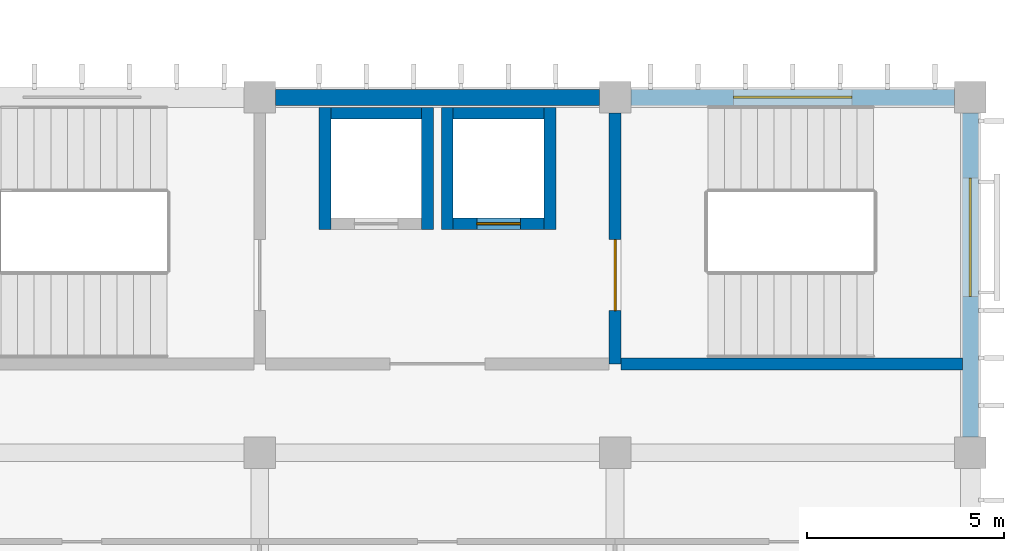
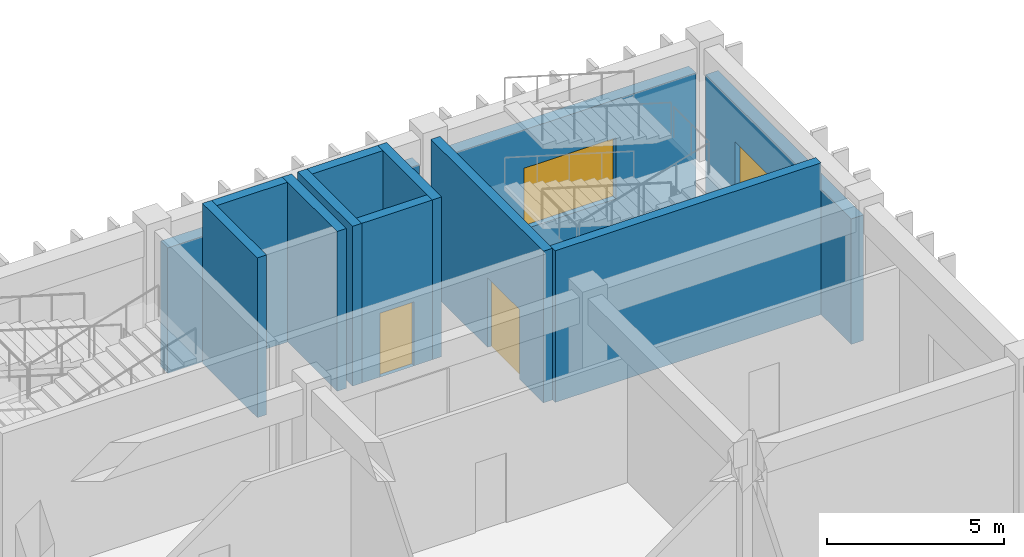
# One storey, part 281 of 437: 12 walls, 2 doors, 2 windows, 4 openings.
"""IFC4 building model written with IfcOpenShell, lengths in metres."""

from ifc_helpers import new_model, si_unit, direction, frame, frame_2d, origin, place, context, subcontext, project, spatial, rectangle, extrude, material, layer, layer_set, type_object, element, fill, save


model = new_model("IFC4")

# Units and contexts
model_context = context("Model", 3, precision=1e-05, world=origin(), true_north=direction((0.0, 1.0)))
body_context = subcontext(model_context, "Body", "Model", "MODEL_VIEW")
ifc_project = project(units=[si_unit("LENGTHUNIT", "METRE"), si_unit("AREAUNIT", "SQUARE_METRE"), si_unit("VOLUMEUNIT", "CUBIC_METRE"), si_unit("PLANEANGLEUNIT", "RADIAN"), si_unit("MASSUNIT", "GRAM", prefix="KILO")], contexts=[model_context])

# Site, building, storey
site_placement = place(None, origin())
site = spatial("IfcSite", under=ifc_project, at=site_placement, CompositionType="ELEMENT")
building_placement = place(site_placement, origin())
building = spatial("IfcBuilding", under=site, at=building_placement, Name="Opaline Strait Convention Centre", CompositionType="ELEMENT")
storey_placement = place(building_placement, frame((0.0, 0.0, 11.5)))
storey = spatial("IfcBuildingStorey", under=building, at=storey_placement, Name="L02", CompositionType="ELEMENT", Elevation=11.5)

# Wall
ifc_material_1 = material(Name="Concrete C40 precast", Category="concrete")
ifc_layer_1 = layer(ifc_material_1, 0.10009765625)
ifc_material_2 = material(Name="Mineral wool insulation")
ifc_layer_2 = layer(ifc_material_2, 0.14990234375)
ifc_layer_3 = layer(ifc_material_1, 0.14990234375)
ifc_layer_set_1 = layer_set([ifc_layer_1, ifc_layer_2, ifc_layer_3], Name="Concrete C40 precast, Mineral wool insulation, Concrete C40 precast")
wall_type_1 = type_object("IfcWallType", Name="External wall 400 insulated precast EI60", PredefinedType="STANDARD", material=ifc_layer_set_1)
wall_1_placement = place(storey_placement, frame((342.39990234375, 180.0, 0.0), z_axis=(0.0, 0.0, 1.0), x_axis=(1.0, 0.0, 0.0)))
element("IfcWall", 1, at=wall_1_placement, inside=storey, type_object=wall_type_1, Name="External wall N L02 39/W", PredefinedType="STANDARD", context=body_context, shape_type="SweptSolid", body=[
    extrude(rectangle(XDim=8.2001953125, YDim=0.39990234375, at=frame_2d((4.10009765625, 0.0))), origin(), (0.0, 0.0, 1.0), 4.320068359375),
])

# Wall, opening, window
wall_2_placement = place(storey_placement, frame((351.39990234375, 180.0, 0.0), z_axis=(0.0, 0.0, 1.0), x_axis=(1.0, 0.0, 0.0)))
wall_2 = element("IfcWall", 2, at=wall_2_placement, inside=storey, type_object=wall_type_1, Name="External wall N L02 40/W", PredefinedType="STANDARD", context=body_context, shape_type="SweptSolid", body=[
    extrude(rectangle(XDim=8.2001953125, YDim=0.39990234375, at=frame_2d((4.10009765625, 0.0))), origin(), (0.0, 0.0, 1.0), 4.320068359375),
])
opening_1_placement = place(wall_2_placement, frame((2.60009765625, 0.0, 0.89990234375)))
opening_1 = element("IfcOpeningElement", 3, at=opening_1_placement, cuts=wall_2, Name="Opening MW2", PredefinedType="OPENING", context=body_context, shape_type="SweptSolid", body=[
    extrude(rectangle(XDim=3.0, YDim=2.10009765625, at=frame_2d((1.5, 1.050048828125))), frame((0.0, 0.2099609375, 0.0), z_axis=(0.0, -1.0, 0.0), x_axis=(1.0, 0.0, 0.0)), (0.0, 0.0, 1.0), 0.419921875),
])
ifc_material_3 = material(Name="Aluminium framed double glazing", Category="aluminium")
window_type = type_object("IfcWindowType", Name="Window 3000 x 2100", PartitioningType="TRIPLE_PANEL_VERTICAL", PredefinedType="WINDOW", material=ifc_material_3)
window_1_placement = place(opening_1_placement, origin())
window_1 = element("IfcWindow", 4, at=window_1_placement, inside=storey, type_object=window_type, Name="Window Escape Stair S7 N", OverallHeight=2.10009765625, OverallWidth=3.0, PartitioningType="TRIPLE_PANEL_VERTICAL", PredefinedType="WINDOW", context=body_context, shape_type="SweptSolid", body=[
    extrude(rectangle(XDim=3.0, YDim=2.10009765625, at=frame_2d((1.5, 1.050048828125))), frame((0.0, 0.030029296875, 0.0), z_axis=(0.0, -1.0, 0.0), x_axis=(1.0, 0.0, 0.0)), (0.0, 0.0, 1.0), 0.06005859375),
])
fill(opening_1, window_1)

wall_3_placement = place(storey_placement, frame((360.0, 171.39990234375, 0.0), z_axis=(0.0, 0.0, 1.0), x_axis=(0.0, 1.0, 0.0)))
wall_3 = element("IfcWall", 5, at=wall_3_placement, inside=storey, type_object=wall_type_1, Name="External wall E L02 41/V", PredefinedType="STANDARD", context=body_context, shape_type="SweptSolid", body=[
    extrude(rectangle(XDim=8.2001953125, YDim=0.39990234375, at=frame_2d((4.10009765625, 0.0))), origin(), (0.0, 0.0, 1.0), 4.320068359375),
])
opening_2_placement = place(wall_3_placement, frame((3.5625, 0.0, 0.89990234375)))
opening_2 = element("IfcOpeningElement", 6, at=opening_2_placement, cuts=wall_3, Name="Opening MW2", PredefinedType="OPENING", context=body_context, shape_type="SweptSolid", body=[
    extrude(rectangle(XDim=3.0, YDim=2.10009765625, at=frame_2d((1.5, 1.050048828125))), frame((0.0, 0.2099609375, 0.0), z_axis=(0.0, -1.0, 0.0), x_axis=(1.0, 0.0, 0.0)), (0.0, 0.0, 1.0), 0.419921875),
])
window_2_placement = place(opening_2_placement, origin())
window_2 = element("IfcWindow", 7, at=window_2_placement, inside=storey, type_object=window_type, Name="Window Escape Stair S7 E", OverallHeight=2.10009765625, OverallWidth=3.0, PartitioningType="TRIPLE_PANEL_VERTICAL", PredefinedType="WINDOW", context=body_context, shape_type="SweptSolid", body=[
    extrude(rectangle(XDim=3.0, YDim=2.10009765625, at=frame_2d((1.5, 1.050048828125))), frame((0.0, 0.030029296875, 0.0), z_axis=(0.0, -1.0, 0.0), x_axis=(1.0, 0.0, 0.0)), (0.0, 0.0, 1.0), 0.06005859375),
])
fill(opening_2, window_2)

# Wall, opening, door
ifc_material_4 = material(Name="Concrete C40", Category="concrete")
ifc_layer_4 = layer(ifc_material_4, 0.300048828125)
ifc_layer_set_2 = layer_set([ifc_layer_4], Name="Concrete C40")
wall_type_2 = type_object("IfcWallType", Name="RC core wall 300 C40", PredefinedType="SHEAR", material=ifc_layer_set_2)
wall_4_placement = place(storey_placement, frame((351.0, 173.25, 0.0), z_axis=(0.0, 0.0, 1.0), x_axis=(0.0, 1.0, 0.0)))
wall_4 = element("IfcWall", 8, at=wall_4_placement, inside=storey, type_object=wall_type_2, Name="Core wall NE-L02", PredefinedType="SHEAR", context=body_context, shape_type="SweptSolid", body=[
    extrude(rectangle(XDim=6.35009765625, YDim=0.300048828125, at=frame_2d((3.175048828125, 0.0))), origin(), (0.0, 0.0, 1.0), 5.219970703125),
])
opening_3_placement = place(wall_4_placement, frame((1.35009765625, 0.0, 0.0)))
opening_3 = element("IfcOpeningElement", 9, at=opening_3_placement, cuts=wall_4, Name="Opening M2-016", PredefinedType="OPENING", context=body_context, shape_type="SweptSolid", body=[
    extrude(rectangle(XDim=1.800048828125, YDim=2.39990234375, at=frame_2d((0.89990234375, 1.199951171875))), frame((0.0, 0.159912109375, 0.0), z_axis=(0.0, -1.0, 0.0), x_axis=(1.0, 0.0, 0.0)), (0.0, 0.0, 1.0), 0.320068359375),
])
ifc_material_5 = material(Name="Steel Q235B", Category="steel")
door_type_1 = type_object("IfcDoorType", Name="Stair door FD60 1800 x 2400", OperationType="DOUBLE_DOOR_SINGLE_SWING", PredefinedType="DOOR", material=ifc_material_5)
door_1_placement = place(opening_3_placement, origin())
door_1 = element("IfcDoor", 10, at=door_1_placement, inside=storey, type_object=door_type_1, Name="Escape stair S7 door L02", ObjectType="MD4", OperationType="DOUBLE_DOOR_SINGLE_SWING", OverallHeight=2.39990234375, OverallWidth=1.800048828125, PredefinedType="DOOR", context=body_context, shape_type="SweptSolid", body=[
    extrude(rectangle(XDim=1.800048828125, YDim=2.39990234375, at=frame_2d((0.89990234375, 1.199951171875))), frame((0.0, 0.02490234375, 0.0), z_axis=(0.0, -1.0, 0.0), x_axis=(1.0, 0.0, 0.0)), (0.0, 0.0, 1.0), 0.050048828125),
])
fill(opening_3, door_1)

# Walls
wall_5_placement = place(storey_placement, frame((351.14990234375, 173.25, 0.0), z_axis=(0.0, 0.0, 1.0), x_axis=(1.0, 0.0, 0.0)))
element("IfcWall", 11, at=wall_5_placement, inside=storey, type_object=wall_type_2, Name="Core wall NE-L02", PredefinedType="SHEAR", context=body_context, shape_type="SweptSolid", body=[
    extrude(rectangle(XDim=8.650146484375, YDim=0.300048828125, at=frame_2d((4.3251953125, 0.0))), origin(), (0.0, 0.0, 1.0), 5.219970703125),
])
ifc_layer_5 = layer(ifc_material_4, 0.300048828125)
ifc_layer_set_3 = layer_set([ifc_layer_5], Name="Concrete C40")
wall_type_3 = type_object("IfcWallType", Name="RC lift shaft wall 300 C40", PredefinedType="SHEAR", material=ifc_layer_set_3)
for number, where, z_axis, x_axis, name in (
    (12, (349.35009765625, 176.64990234375, 0.0), (0.0, 0.0, 1.0), (0.0, 1.0, 0.0), "Lift shaft NE1 wall L02"),
    (13, (346.75, 176.64990234375, 0.0), (0.0, 0.0, 1.0), (0.0, 1.0, 0.0), "Lift shaft NE1 wall L02"),
):
    element("IfcWall", number, at=place(storey_placement, frame(where, z_axis=z_axis, x_axis=x_axis)), inside=storey, type_object=wall_type_3, Name=name, PredefinedType="SHEAR", context=body_context, shape_type="SweptSolid", body=[
        extrude(rectangle(XDim=3.10009765625, YDim=0.300048828125, at=frame_2d((1.550048828125, 0.0))), origin(), (0.0, 0.0, 1.0), 5.5),
    ])
wall_6_placement = place(storey_placement, frame((346.89990234375, 179.60009765625, 0.0), z_axis=(0.0, 0.0, 1.0), x_axis=(1.0, 0.0, 0.0)))
element("IfcWall", 14, at=wall_6_placement, inside=storey, type_object=wall_type_3, Name="Lift shaft NE1 wall L02", PredefinedType="SHEAR", context=body_context, shape_type="SweptSolid", body=[
    extrude(rectangle(XDim=2.300048828125, YDim=0.300048828125, at=frame_2d((1.14990234375, 0.0))), origin(), (0.0, 0.0, 1.0), 5.5),
])

# Wall, opening, door
wall_7_placement = place(storey_placement, frame((346.89990234375, 176.800048828125, 0.0), z_axis=(0.0, 0.0, 1.0), x_axis=(1.0, 0.0, 0.0)))
wall_7 = element("IfcWall", 15, at=wall_7_placement, inside=storey, type_object=wall_type_3, Name="Lift shaft NE1 wall L02", PredefinedType="SHEAR", context=body_context, shape_type="SweptSolid", body=[
    extrude(rectangle(XDim=2.300048828125, YDim=0.300048828125, at=frame_2d((1.14990234375, 0.0))), origin(), (0.0, 0.0, 1.0), 5.5),
])
opening_4_placement = place(wall_7_placement, frame((0.60009765625, 0.0, 0.0)))
opening_4 = element("IfcOpeningElement", 16, at=opening_4_placement, cuts=wall_7, Name="Opening M2-019", PredefinedType="OPENING", context=body_context, shape_type="SweptSolid", body=[
    extrude(rectangle(XDim=1.10009765625, YDim=2.199951171875, at=frame_2d((0.550048828125, 1.10009765625))), frame((0.0, 0.159912109375, 0.0), z_axis=(0.0, -1.0, 0.0), x_axis=(1.0, 0.0, 0.0)), (0.0, 0.0, 1.0), 0.320068359375),
])
ifc_material_6 = material(Name="Stainless steel 304", Category="steel")
door_type_2 = type_object("IfcDoorType", Name="Lift landing door FD60 1100 x 2200", OperationType="SLIDING_TO_LEFT", PredefinedType="DOOR", material=ifc_material_6)
door_2_placement = place(opening_4_placement, origin())
door_2 = element("IfcDoor", 17, at=door_2_placement, inside=storey, type_object=door_type_2, Name="Lift landing door NE1 L02", ObjectType="MD6", OperationType="SLIDING_TO_LEFT", OverallHeight=2.199951171875, OverallWidth=1.10009765625, PredefinedType="DOOR", context=body_context, shape_type="SweptSolid", body=[
    extrude(rectangle(XDim=1.10009765625, YDim=2.199951171875, at=frame_2d((0.550048828125, 1.10009765625))), frame((0.0, 0.02490234375, 0.0), z_axis=(0.0, -1.0, 0.0), x_axis=(1.0, 0.0, 0.0)), (0.0, 0.0, 1.0), 0.050048828125),
])
fill(opening_4, door_2)

# Walls
for number, where, z_axis, x_axis, name in (
    (18, (346.25, 176.64990234375, 0.0), (0.0, 0.0, 1.0), (0.0, 1.0, 0.0), "Lift shaft NE2 wall L02"),
    (19, (343.64990234375, 176.64990234375, 0.0), (0.0, 0.0, 1.0), (0.0, 1.0, 0.0), "Lift shaft NE2 wall L02"),
):
    element("IfcWall", number, at=place(storey_placement, frame(where, z_axis=z_axis, x_axis=x_axis)), inside=storey, type_object=wall_type_3, Name=name, PredefinedType="SHEAR", context=body_context, shape_type="SweptSolid", body=[
        extrude(rectangle(XDim=3.10009765625, YDim=0.300048828125, at=frame_2d((1.550048828125, 0.0))), origin(), (0.0, 0.0, 1.0), 5.5),
    ])
wall_8_placement = place(storey_placement, frame((343.800048828125, 179.60009765625, 0.0), z_axis=(0.0, 0.0, 1.0), x_axis=(1.0, 0.0, 0.0)))
element("IfcWall", 20, at=wall_8_placement, inside=storey, type_object=wall_type_3, Name="Lift shaft NE2 wall L02", PredefinedType="SHEAR", context=body_context, shape_type="SweptSolid", body=[
    extrude(rectangle(XDim=2.300048828125, YDim=0.300048828125, at=frame_2d((1.14990234375, 0.0))), origin(), (0.0, 0.0, 1.0), 5.5),
])

save(model, "model.ifc")
